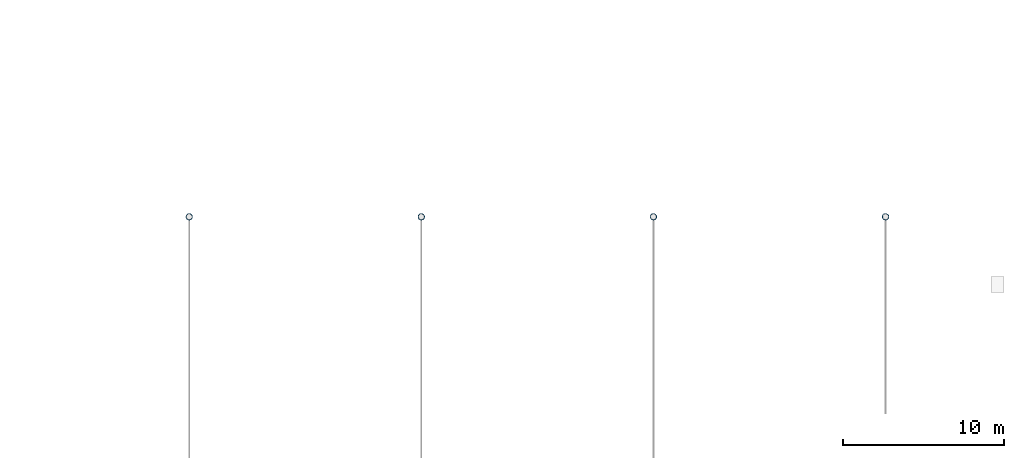
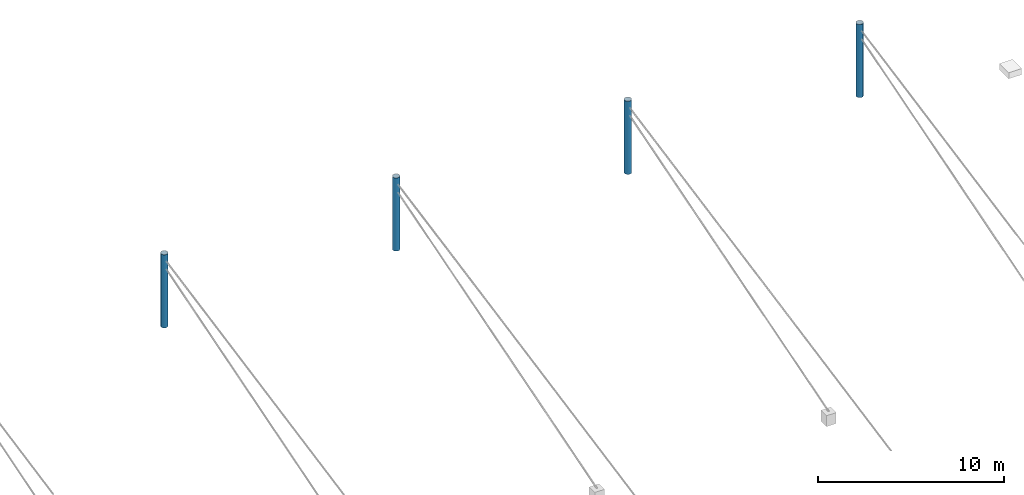
# One storey, part 11 of 68: 4 columns.
"""IFC4 building model written with IfcOpenShell, lengths in metres."""

import ifcopenshell
import ifcopenshell.guid

model = None  # the IFC model being written
_history = None  # IfcOwnerHistory: only IFC2X3 demands one
_inside = {}  # id of a spatial element -> (the spatial element, [elements in it])
_under = {}  # id of a project, library or spatial element -> (it, [spatial elements below it])
_declared = {}  # id of a project -> (the project, [libraries it declares])
_typed = {}  # id of a type object -> (the type object, [elements of that type])
_made_of = {}  # id of a material, layer set ... -> (it, [elements and type objects made of it])


def new_model(schema):
    """Start an empty IFC model of exactly this schema.

    Asked for "IFC4X3", IfcOpenShell would pick the latest addendum, in which some entities
    have other attributes; the version numbers below select the first issue.
    IFC2X3 requires an IfcOwnerHistory on every rooted entity: one is made here for all.
    """
    global model, _history
    if schema == "IFC4X3":
        model = ifcopenshell.file(schema_version=(4, 3, 0, 0))
    else:
        model = ifcopenshell.file(schema=schema)
    _inside.clear()
    _under.clear()
    _declared.clear()
    _typed.clear()
    _made_of.clear()
    _history = None
    if model.schema == "IFC2X3":
        org = make("IfcOrganization", Name="unknown")
        user = make(
            "IfcPersonAndOrganization",
            ThePerson=make("IfcPerson", FamilyName="unknown"),
            TheOrganization=org,
        )
        app = make(
            "IfcApplication",
            ApplicationDeveloper=org,
            Version="unknown",
            ApplicationFullName="unknown",
            ApplicationIdentifier="unknown",
        )
        _history = make(
            "IfcOwnerHistory",
            OwningUser=user,
            OwningApplication=app,
            ChangeAction="ADDED",
            CreationDate=0,
        )
    return model


def make(cls, **values):
    """One entity of the class cls with the attributes given. An attribute that is None is left unset."""
    return model.create_entity(
        cls, **{name: value for name, value in values.items() if value is not None}
    )


def rooted(cls, **values):
    """An entity with a GlobalId (a new one), such as an element, a storey or a relation."""
    return make(cls, GlobalId=ifcopenshell.guid.new(), OwnerHistory=_history, **values)


def si_unit(unit_type, name, prefix=None):
    """IfcSIUnit, for example si_unit("LENGTHUNIT", "METRE", prefix="MILLI")."""
    return make("IfcSIUnit", UnitType=unit_type, Prefix=prefix, Name=name)


def assignment(units):
    """IfcUnitAssignment: the units of a project."""
    return None if units is None else make("IfcUnitAssignment", Units=units)


def point(xyz):
    """IfcCartesianPoint."""
    return None if xyz is None else make("IfcCartesianPoint", Coordinates=xyz)


def direction(xyz):
    """IfcDirection."""
    return None if xyz is None else make("IfcDirection", DirectionRatios=xyz)


def frame(location, z_axis=None, x_axis=None):
    """IfcAxis2Placement3D, a coordinate frame: its origin and axes. An axis left out is left unset."""
    return make(
        "IfcAxis2Placement3D",
        Location=point(location),
        Axis=direction(z_axis),
        RefDirection=direction(x_axis),
    )


def frame_2d(location, x_axis=None):
    """IfcAxis2Placement2D, a coordinate frame in the plane: its origin and x axis."""
    return make(
        "IfcAxis2Placement2D", Location=point(location), RefDirection=direction(x_axis)
    )


def origin():
    """The frame at (0, 0, 0) with its axes left unset."""
    return frame((0.0, 0.0, 0.0))


def origin_2d():
    """The frame at (0, 0) in the plane with its x axis left unset."""
    return frame_2d((0.0, 0.0))


def place(relative_to, where):
    """IfcLocalPlacement: puts the frame where relative to a parent placement (None: the world)."""
    return make(
        "IfcLocalPlacement", PlacementRelTo=relative_to, RelativePlacement=where
    )


def context(
    kind, dimensions, precision=None, world=None, true_north=None, identifier=None
):
    """IfcGeometricRepresentationContext, for example the 3D "Model" context."""
    return make(
        "IfcGeometricRepresentationContext",
        ContextIdentifier=identifier,
        ContextType=kind,
        CoordinateSpaceDimension=dimensions,
        Precision=precision,
        WorldCoordinateSystem=world,
        TrueNorth=true_north,
    )


def subcontext(parent, identifier, kind, view, scale=None):
    """IfcGeometricRepresentationSubContext, for example "Body" below "Model"."""
    return make(
        "IfcGeometricRepresentationSubContext",
        ContextIdentifier=identifier,
        ContextType=kind,
        ParentContext=parent,
        TargetScale=scale,
        TargetView=view,
    )


def project(units=None, contexts=None):
    """IfcProject with its units and contexts."""
    return rooted(
        "IfcProject",
        Name="project",
        RepresentationContexts=contexts,
        UnitsInContext=assignment(units),
    )


def spatial(cls, under=None, at=None, **own):
    """A site, building, storey or space (cls), placed at a placement, below another one or the project."""
    s = rooted(cls, ObjectPlacement=at, **own)
    if under is not None:
        _under.setdefault(under.id(), (under, []))[1].append(s)
    return s


def profile(cls, at=None, kind="AREA", **sizes):
    """A parametric profile (cls). Its sizes go by their IFC names, for example OverallWidth=200.0."""
    return make(cls, ProfileType=kind, Position=at, **sizes)


def hollow_circle(**sizes):
    """IfcCircleHollowProfileDef."""
    return profile("IfcCircleHollowProfileDef", **sizes)


def extrude(swept, where, along, depth):
    """IfcExtrudedAreaSolid: the profile swept, set in the frame where, extruded along a direction by depth."""
    return make(
        "IfcExtrudedAreaSolid",
        SweptArea=swept,
        Position=where,
        ExtrudedDirection=direction(along),
        Depth=depth,
    )


def shape(context_of_items, identifier, shape_type, items):
    """IfcShapeRepresentation: the items that make up one representation, for example the "Body"."""
    return make(
        "IfcShapeRepresentation",
        ContextOfItems=context_of_items,
        RepresentationIdentifier=identifier,
        RepresentationType=shape_type,
        Items=items,
    )


def material(Name=None, Category=None):
    """IfcMaterial."""
    return make("IfcMaterial", Name=Name, Category=Category)


def material_profile(
    of_material, cross_section, Name=None, Category=None, Priority=None
):
    """IfcMaterialProfile: a cross section and its material."""
    return make(
        "IfcMaterialProfile",
        Name=Name,
        Material=of_material,
        Profile=cross_section,
        Priority=Priority,
        Category=Category,
    )


def profile_set(profiles, Name=None, composite=None):
    """IfcMaterialProfileSet."""
    return make(
        "IfcMaterialProfileSet",
        Name=Name,
        MaterialProfiles=profiles,
        CompositeProfile=composite,
    )


def made_of(thing, what):
    """Note that an element or type object is made of a material, layer set ...; save() writes the relation."""
    if what is not None:
        _made_of.setdefault(what.id(), (what, []))[1].append(thing)
    return thing


def type_object(cls, material=None, **own):
    """A type object (cls), such as IfcWallType, which elements share."""
    return made_of(rooted(cls, **own), material)


def element(
    cls,
    number,
    at=None,
    inside=None,
    cuts=None,
    type_object=None,
    material=None,
    context=None,
    identifier="Body",
    shape_type=None,
    held_by="IfcProductDefinitionShape",
    body=None,
    shapes=None,
    **own,
):
    """One element of the class cls, such as IfcWall. Its Tag is "e" and its number.

    at: its placement. inside: the storey or other place that contains it. cuts: it is an
    opening in that element (IfcRelVoidsElement). A single representation is given by context,
    identifier, shape_type and body (its items); several are given by shapes. held_by: the class
    of the entity that holds the representations. save() writes the other relations.
    """
    e = rooted(cls, Tag="e%d" % number, ObjectPlacement=at, **own)
    if body is not None:
        shapes = [shape(context, identifier, shape_type, body)]
    if shapes is not None:
        e.Representation = make(held_by, Representations=shapes)
    if inside is not None:
        _inside.setdefault(inside.id(), (inside, []))[1].append(e)
    if cuts is not None:
        rooted(
            "IfcRelVoidsElement", RelatingBuildingElement=cuts, RelatedOpeningElement=e
        )
    if type_object is not None:
        _typed.setdefault(type_object.id(), (type_object, []))[1].append(e)
    return made_of(e, material)


def aggregate(whole, parts):
    """IfcRelAggregates: a whole, such as a stair, and the parts it consists of."""
    return rooted("IfcRelAggregates", RelatingObject=whole, RelatedObjects=parts)


def save(model, path):
    """Write the relations noted so far, then the file.

    IfcRelAggregates (storeys below a building ...), IfcRelContainedInSpatialStructure (elements
    in a storey), IfcRelDefinesByType, IfcRelAssociatesMaterial and IfcRelDeclares: one each for
    every whole, place, type object, material and project.
    """
    for whole, parts in _under.values():
        aggregate(whole, parts)
    for where, things in _inside.values():
        rooted(
            "IfcRelContainedInSpatialStructure",
            RelatedElements=things,
            RelatingStructure=where,
        )
    for kind, things in _typed.values():
        rooted("IfcRelDefinesByType", RelatedObjects=things, RelatingType=kind)
    for what, things in _made_of.values():
        rooted("IfcRelAssociatesMaterial", RelatedObjects=things, RelatingMaterial=what)
    for by, libraries in _declared.values():
        rooted("IfcRelDeclares", RelatingContext=by, RelatedDefinitions=libraries)
    model.write(path)


model = new_model("IFC4")

# Units and contexts
model_context = context("Model", 3, precision=1e-05, world=origin(), true_north=direction((0.0, 1.0)))
body_context = subcontext(model_context, "Body", "Model", "MODEL_VIEW")
ifc_project = project(units=[si_unit("LENGTHUNIT", "METRE"), si_unit("AREAUNIT", "SQUARE_METRE"), si_unit("VOLUMEUNIT", "CUBIC_METRE"), si_unit("PLANEANGLEUNIT", "RADIAN"), si_unit("MASSUNIT", "GRAM", prefix="KILO")], contexts=[model_context])

# Site, building, storey
site_placement = place(None, origin())
site = spatial("IfcSite", under=ifc_project, at=site_placement, CompositionType="ELEMENT")
building_placement = place(site_placement, origin())
building = spatial("IfcBuilding", under=site, at=building_placement, Name="Kupolbacken Congress Centre", CompositionType="ELEMENT")
storey_placement = place(building_placement, frame((0.0, 0.0, 25.199951171875)))
storey = spatial("IfcBuildingStorey", under=building, at=storey_placement, Name="L07", CompositionType="ELEMENT", Elevation=25.199951171875)

# Columns
ifc_material = material(Name="Steel S355", Category="steel")
ifc_material_profile = material_profile(ifc_material, hollow_circle(Radius=0.203125, WallThickness=0.01611328125, at=origin_2d()), Name="CHS 406.4 x 16")
ifc_profile_set = profile_set([ifc_material_profile], Name="Steel S355")
column_type = type_object("IfcColumnType", Name="C15 roof mast CHS 406.4 x 16", PredefinedType="COLUMN", material=ifc_profile_set)
for number, where, z_axis, x_axis, name in (
    (1, (151.199951171875, 118.800048828125, 0.0), (0.0, 0.0, 1.0), (1.0, 0.0, 0.0), "Roof mast M5N"),
    (2, (165.60009765625, 118.800048828125, 0.0), (0.0, 0.0, 1.0), (1.0, 0.0, 0.0), "Roof mast M6N"),
    (3, (180.0, 118.800048828125, 0.0), (0.0, 0.0, 1.0), (1.0, 0.0, 0.0), "Roof mast M7N"),
    (4, (194.39990234375, 118.800048828125, 0.0), (0.0, 0.0, 1.0), (1.0, 0.0, 0.0), "Roof mast M8N"),
):
    element("IfcColumn", number, at=place(storey_placement, frame(where, z_axis=z_axis, x_axis=x_axis)), inside=storey, type_object=column_type, Name=name, PredefinedType="COLUMN", context=body_context, shape_type="SweptSolid", body=[
        extrude(hollow_circle(Radius=0.203125, WallThickness=0.01611328125, at=origin_2d()), origin(), (0.0, 0.0, 1.0), 4.800048828125),
    ])

save(model, "model.ifc")
